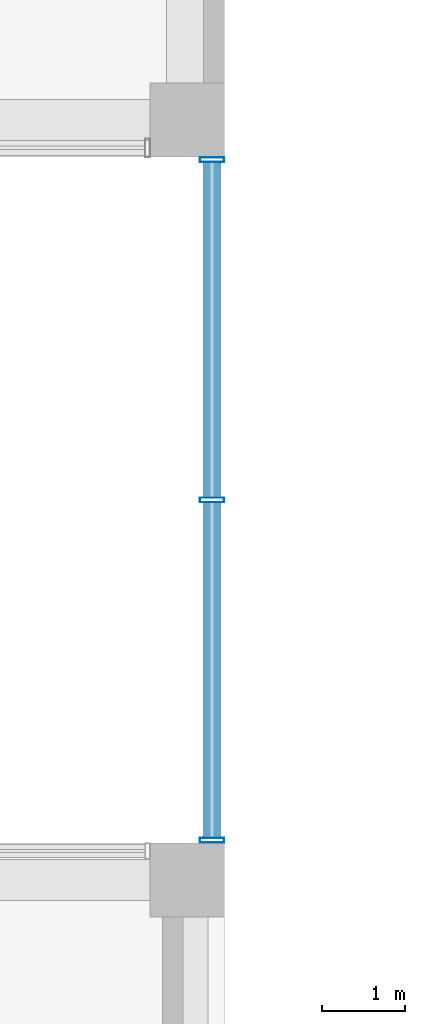
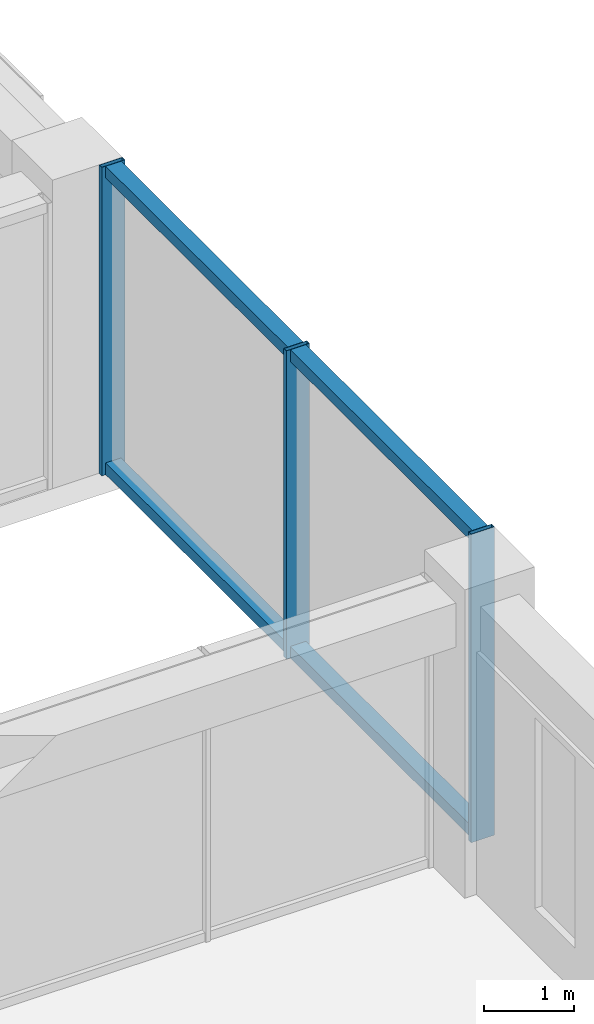
# One storey, part 19 of 36: 7 members, 1 element without a shape of its own.
"""IFC4 building model written with IfcOpenShell, lengths in metres."""

from ifc_helpers import new_model, si_unit, direction, frame, origin, origin_2d, place, context, subcontext, project, spatial, hollow_rectangle, extrude, material, layer, layer_set, material_profile, profile_set, type_object, element, aggregate, save


model = new_model("IFC4")

# Units and contexts
model_context = context("Model", 3, precision=1e-05, world=origin(), true_north=direction((0.0, 1.0)))
body_context = subcontext(model_context, "Body", "Model", "MODEL_VIEW")
ifc_project = project(units=[si_unit("LENGTHUNIT", "METRE"), si_unit("AREAUNIT", "SQUARE_METRE"), si_unit("VOLUMEUNIT", "CUBIC_METRE"), si_unit("PLANEANGLEUNIT", "RADIAN"), si_unit("MASSUNIT", "GRAM", prefix="KILO")], contexts=[model_context])

# Site, building, storey
site_placement = place(None, origin())
site = spatial("IfcSite", under=ifc_project, at=site_placement, CompositionType="ELEMENT")
building_placement = place(site_placement, origin())
building = spatial("IfcBuilding", under=site, at=building_placement, Name="Nzadi Deep Aquarium and Research Tower", CompositionType="ELEMENT")
storey_placement = place(building_placement, frame((0.0, 0.0, 40.300048828125)))
storey = spatial("IfcBuildingStorey", under=building, at=storey_placement, Name="L07", CompositionType="ELEMENT", Elevation=40.300048828125)

# Curtain wall, members
ifc_material_1 = material(Name="Aluminium unitised frame wind post", Category="aluminium")
ifc_layer = layer(ifc_material_1, 0.300048828125)
ifc_layer_set = layer_set([ifc_layer], Name="Aluminium unitised frame wind post")
curtain_wall_type = type_object("IfcCurtainWallType", Name="Curtain wall Slot End 300", PredefinedType="NOTDEFINED", material=ifc_layer_set)
curtain_wall_placement = place(storey_placement, origin())
curtain_wall = element("IfcCurtainWall", 1, at=curtain_wall_placement, inside=storey, type_object=curtain_wall_type, Name="Glazed slot end east L07", PredefinedType="NOTDEFINED")
ifc_material_2 = material(Name="Aluminium unitised frame wind post", Category="aluminium")
ifc_material_profile_1 = material_profile(ifc_material_2, hollow_rectangle(XDim=0.300048828125, YDim=0.06005859375, WallThickness=0.0048828125, at=origin_2d()))
ifc_profile_set_1 = profile_set([ifc_material_profile_1], Name="Aluminium unitised frame wind post")
member_type_1 = type_object("IfcMemberType", Name="Mullion 60x300 Slot End", PredefinedType="MULLION", material=ifc_profile_set_1)
member_1_placement = place(storey_placement, frame((48.300048828125, 18.8798828125, 0.0), z_axis=(0.0, 0.0, 1.0), x_axis=(-1.0, 0.0, 0.0)))
member_1 = element("IfcMember", 2, at=member_1_placement, type_object=member_type_1, Name="CW206 mullion 1", PredefinedType="MULLION", context=body_context, shape_type="SweptSolid", body=[
    extrude(hollow_rectangle(XDim=0.300048828125, YDim=0.06005859375, WallThickness=0.0048828125, at=origin_2d()), origin(), (0.0, 0.0, 1.0), 4.199951171875),
])
member_2_placement = place(storey_placement, frame((48.300048828125, 23.0, 0.0), z_axis=(0.0, 0.0, 1.0), x_axis=(-1.0, 0.0, 0.0)))
member_2 = element("IfcMember", 3, at=member_2_placement, type_object=member_type_1, Name="CW206 mullion 2", PredefinedType="MULLION", context=body_context, shape_type="SweptSolid", body=[
    extrude(hollow_rectangle(XDim=0.300048828125, YDim=0.06005859375, WallThickness=0.0048828125, at=origin_2d()), origin(), (0.0, 0.0, 1.0), 4.199951171875),
])
member_3_placement = place(storey_placement, frame((48.300048828125, 27.1201171875, 0.0), z_axis=(0.0, 0.0, 1.0), x_axis=(-1.0, 0.0, 0.0)))
member_3 = element("IfcMember", 4, at=member_3_placement, type_object=member_type_1, Name="CW206 mullion 3", PredefinedType="MULLION", context=body_context, shape_type="SweptSolid", body=[
    extrude(hollow_rectangle(XDim=0.300048828125, YDim=0.06005859375, WallThickness=0.0048828125, at=origin_2d()), origin(), (0.0, 0.0, 1.0), 4.199951171875),
])
ifc_material_3 = material(Name="Aluminium unitised frame wind post", Category="aluminium")
ifc_material_profile_2 = material_profile(ifc_material_3, hollow_rectangle(XDim=0.199951171875, YDim=0.159912109375, WallThickness=0.0048828125, at=origin_2d()))
ifc_profile_set_2 = profile_set([ifc_material_profile_2], Name="Aluminium unitised frame wind post")
member_type_2 = type_object("IfcMemberType", Name="Transom 160x200 Slot End", PredefinedType="MULLION", material=ifc_profile_set_2)
member_4_placement = place(storey_placement, frame((48.300048828125, 18.909912109375, 0.079833984375), z_axis=(0.0, 1.0, 0.0), x_axis=(-1.0, 0.0, 0.0)))
member_4 = element("IfcMember", 5, at=member_4_placement, type_object=member_type_2, Name="CW206 transom 1.1", PredefinedType="MULLION", context=body_context, shape_type="SweptSolid", body=[
    extrude(hollow_rectangle(XDim=0.199951171875, YDim=0.159912109375, WallThickness=0.0048828125, at=origin_2d()), origin(), (0.0, 0.0, 1.0), 4.06005859375),
])
member_5_placement = place(storey_placement, frame((48.300048828125, 18.909912109375, 4.119873046875), z_axis=(0.0, 1.0, 0.0), x_axis=(-1.0, 0.0, 0.0)))
member_5 = element("IfcMember", 6, at=member_5_placement, type_object=member_type_2, Name="CW206 transom 1.2", PredefinedType="MULLION", context=body_context, shape_type="SweptSolid", body=[
    extrude(hollow_rectangle(XDim=0.199951171875, YDim=0.159912109375, WallThickness=0.0048828125, at=origin_2d()), origin(), (0.0, 0.0, 1.0), 4.06005859375),
])
member_6_placement = place(storey_placement, frame((48.300048828125, 23.030029296875, 0.079833984375), z_axis=(0.0, 1.0, 0.0), x_axis=(-1.0, 0.0, 0.0)))
member_6 = element("IfcMember", 7, at=member_6_placement, type_object=member_type_2, Name="CW206 transom 2.1", PredefinedType="MULLION", context=body_context, shape_type="SweptSolid", body=[
    extrude(hollow_rectangle(XDim=0.199951171875, YDim=0.159912109375, WallThickness=0.0048828125, at=origin_2d()), origin(), (0.0, 0.0, 1.0), 4.06005859375),
])
member_7_placement = place(storey_placement, frame((48.300048828125, 23.030029296875, 4.119873046875), z_axis=(0.0, 1.0, 0.0), x_axis=(-1.0, 0.0, 0.0)))
member_7 = element("IfcMember", 8, at=member_7_placement, type_object=member_type_2, Name="CW206 transom 2.2", PredefinedType="MULLION", context=body_context, shape_type="SweptSolid", body=[
    extrude(hollow_rectangle(XDim=0.199951171875, YDim=0.159912109375, WallThickness=0.0048828125, at=origin_2d()), origin(), (0.0, 0.0, 1.0), 4.06005859375),
])
aggregate(curtain_wall, [member_1, member_2, member_3, member_4, member_5, member_6, member_7])

save(model, "model.ifc")
